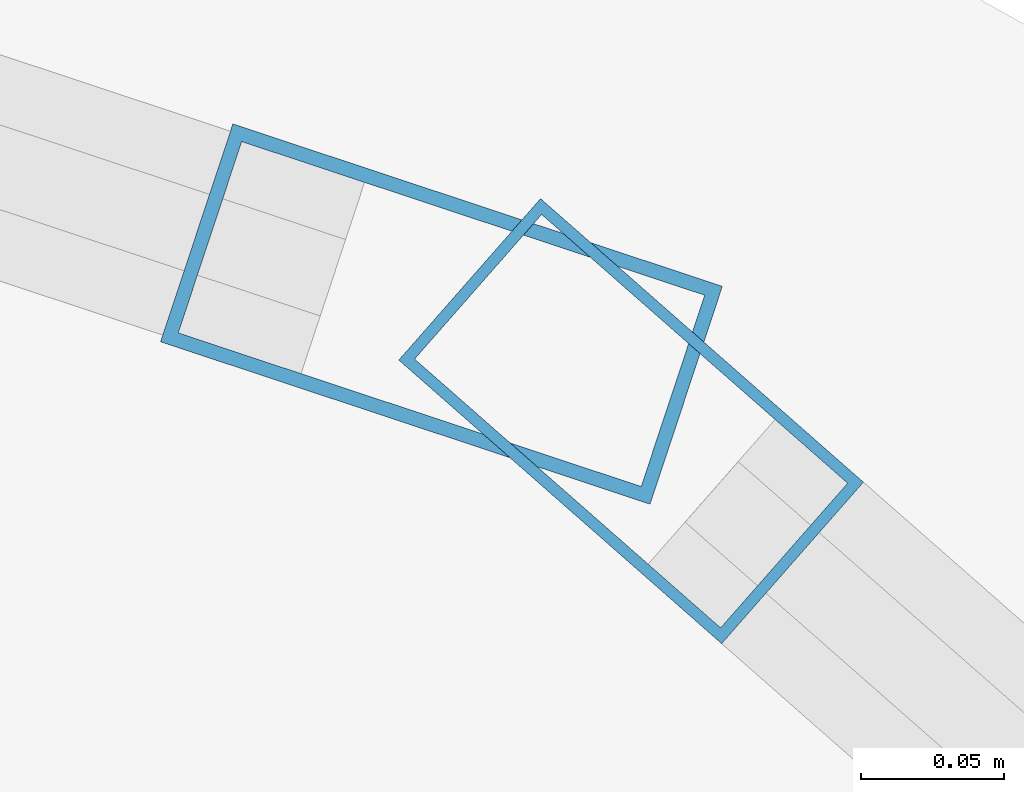
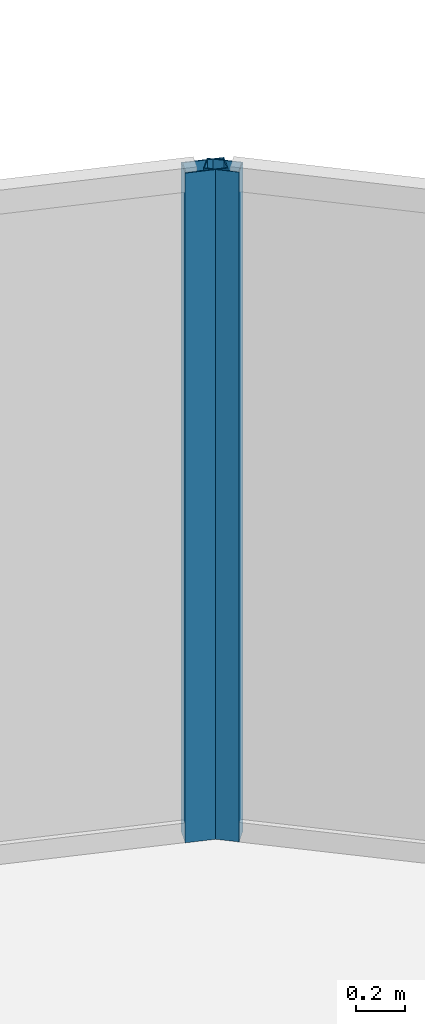
# One storey, part 21 of 34: 2 members, 2 elements without a shape of their own.
"""IFC4 building model written with IfcOpenShell, lengths in metres."""

from ifc_helpers import new_model, si_unit, direction, frame, origin, origin_2d, place, context, subcontext, project, spatial, hollow_rectangle, extrude, material, layer, layer_set, material_profile, profile_set, type_object, element, aggregate, save


model = new_model("IFC4")

# Units and contexts
model_context = context("Model", 3, precision=1e-05, world=origin(), true_north=direction((0.0, 1.0)))
body_context = subcontext(model_context, "Body", "Model", "MODEL_VIEW")
ifc_project = project(units=[si_unit("LENGTHUNIT", "METRE"), si_unit("AREAUNIT", "SQUARE_METRE"), si_unit("VOLUMEUNIT", "CUBIC_METRE"), si_unit("PLANEANGLEUNIT", "RADIAN"), si_unit("MASSUNIT", "GRAM", prefix="KILO")], contexts=[model_context])

# Site, building, storey
site_placement = place(None, origin())
site = spatial("IfcSite", under=ifc_project, at=site_placement, CompositionType="ELEMENT")
building_placement = place(site_placement, origin())
building = spatial("IfcBuilding", under=site, at=building_placement, Name="Kazevale Care Tower and Concert Hall", CompositionType="ELEMENT")
storey_placement = place(building_placement, frame((0.0, 0.0, 171.0)))
storey = spatial("IfcBuildingStorey", under=building, at=storey_placement, Name="L45", CompositionType="ELEMENT", Elevation=171.0)

# Curtain wall, member
ifc_material_1 = material(Name="Aluminium 6063-T6 and Low-E Glass", Category="aluminium")
ifc_layer_1 = layer(ifc_material_1, 0.179931640625)
ifc_layer_set_1 = layer_set([ifc_layer_1], Name="Aluminium 6063-T6 and Low-E Glass")
curtain_wall_type_1 = type_object("IfcCurtainWallType", Name="Convex Checkerboard Finned Curtain Wall CW-2", PredefinedType="NOTDEFINED", material=ifc_layer_set_1)
curtain_wall_1_placement = place(storey_placement, origin())
curtain_wall_1 = element("IfcCurtainWall", 1, at=curtain_wall_1_placement, inside=storey, type_object=curtain_wall_type_1, Name="cw:L45:f16", PredefinedType="NOTDEFINED")
ifc_material_2 = material(Name="Aluminium 6063-T6", Category="aluminium")
ifc_material_profile_1 = material_profile(ifc_material_2, hollow_rectangle(XDim=0.080078125, YDim=0.179931640625, WallThickness=0.0048828125, at=origin_2d()), Name="ALU80x180x5")
ifc_profile_set_1 = profile_set([ifc_material_profile_1], Name="Aluminium 6063-T6")
member_type_1 = type_object("IfcMemberType", Name="CW-2 Mullion ALU80x180x5", PredefinedType="MULLION", material=ifc_profile_set_1)
member_1_placement = place(storey_placement, frame((63.14501953125, 60.734619140625, 0.0), z_axis=(0.0, 0.0, 1.0), x_axis=(0.314868185785, 0.949135409507, 0.0)))
member_1 = element("IfcMember", 2, at=member_1_placement, type_object=member_type_1, Name="CW-2 mullion 2", PredefinedType="MULLION", context=body_context, shape_type="SweptSolid", body=[
    extrude(hollow_rectangle(XDim=0.080078125, YDim=0.179931640625, WallThickness=0.0048828125, at=origin_2d()), origin(), (0.0, 0.0, 1.0), 3.360107421875),
])
aggregate(curtain_wall_1, [member_1])

ifc_layer_2 = layer(ifc_material_1, 0.179931640625)
ifc_layer_set_2 = layer_set([ifc_layer_2], Name="Aluminium 6063-T6 and Low-E Glass")
curtain_wall_type_2 = type_object("IfcCurtainWallType", Name="Convex Recessed Sunroom Curtain Wall CW-3", PredefinedType="NOTDEFINED", material=ifc_layer_set_2)
curtain_wall_2_placement = place(storey_placement, origin())
curtain_wall_2 = element("IfcCurtainWall", 3, at=curtain_wall_2_placement, inside=storey, type_object=curtain_wall_type_2, Name="cw:L45:f17", PredefinedType="NOTDEFINED")
ifc_material_profile_2 = material_profile(ifc_material_2, hollow_rectangle(XDim=0.074951171875, YDim=0.14990234375, WallThickness=0.00390625, at=origin_2d()), Name="ALU75x150x4")
ifc_profile_set_2 = profile_set([ifc_material_profile_2], Name="Aluminium 6063-T6")
member_type_2 = type_object("IfcMemberType", Name="CW-3 Mullion ALU75x150x4", PredefinedType="MULLION", material=ifc_profile_set_2)
member_2_placement = place(storey_placement, frame((63.211181640625, 60.697265625, 0.0), z_axis=(0.0, 0.0, 1.0), x_axis=(0.659891732197, 0.751360700182, 0.0)))
member_2 = element("IfcMember", 4, at=member_2_placement, type_object=member_type_2, Name="CW-3 mullion 1", PredefinedType="MULLION", context=body_context, shape_type="SweptSolid", body=[
    extrude(hollow_rectangle(XDim=0.074951171875, YDim=0.14990234375, WallThickness=0.00390625, at=origin_2d()), origin(), (0.0, 0.0, 1.0), 3.360107421875),
])
aggregate(curtain_wall_2, [member_2])

save(model, "model.ifc")
